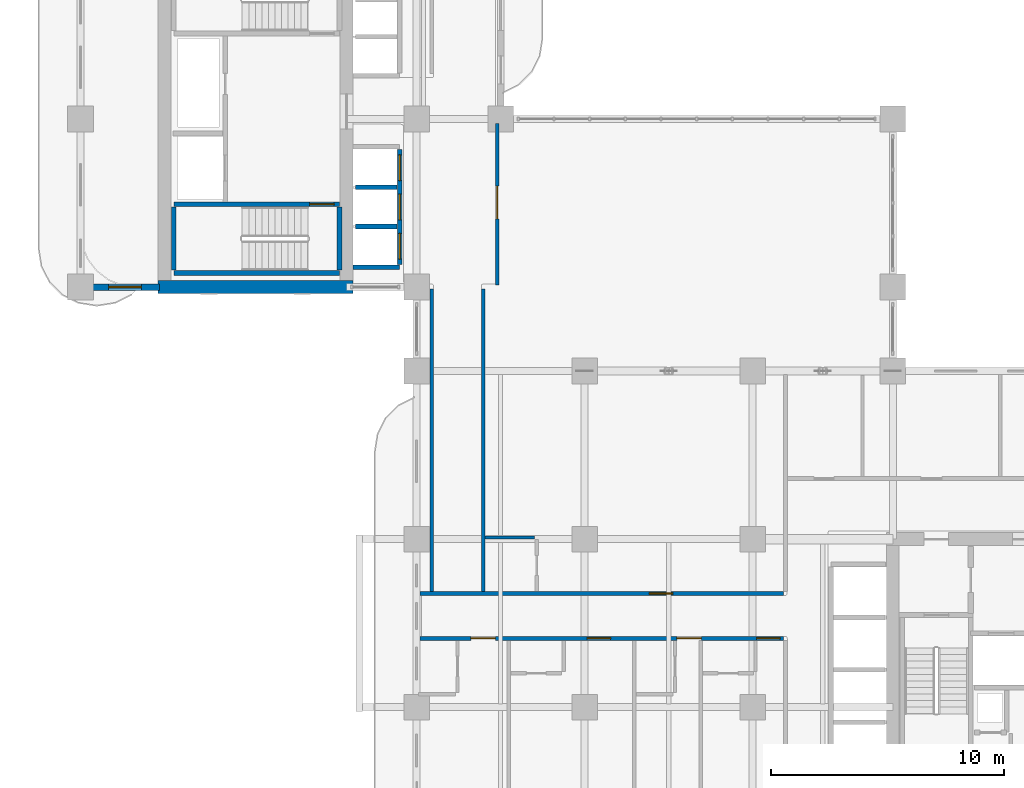
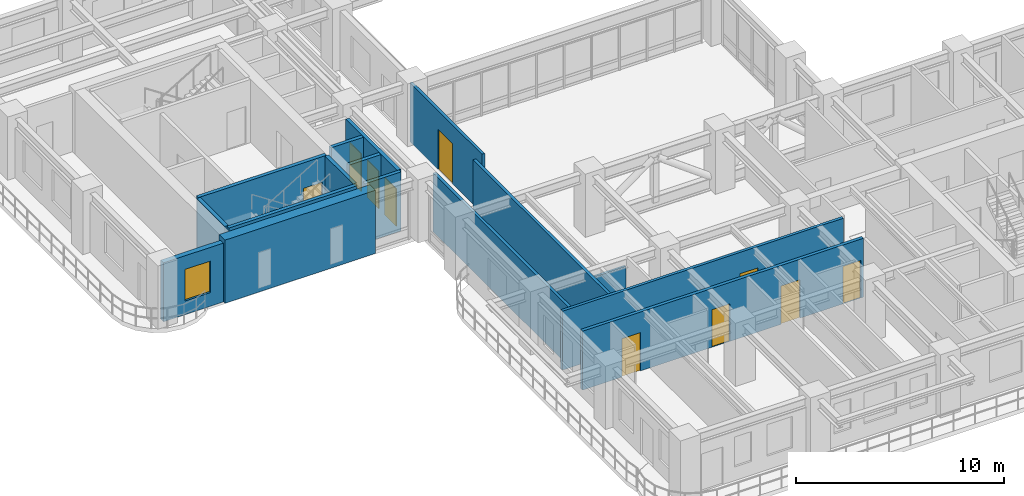
# One storey, part 11 of 21: 16 walls, 10 doors, 1 window, 11 openings.
"""IFC4 building model written with IfcOpenShell, lengths in metres."""

from ifc_helpers import new_model, si_unit, derived_unit, direction, frame, frame_2d, origin, place, context, subcontext, project, spatial, rectangle, extrude, source, transform, mapped, material, layer, layer_set, type_object, type_shapes, element, fill, save


model = new_model("IFC4")

# Units and contexts
model_context = context("Model", 3, precision=1e-05, world=origin(), true_north=direction((0.0, 1.0)))
body_context = subcontext(model_context, "Body", "Model", "MODEL_VIEW")
ifc_project = project(units=[si_unit("LENGTHUNIT", "METRE"), si_unit("AREAUNIT", "SQUARE_METRE"), si_unit("VOLUMEUNIT", "CUBIC_METRE"), si_unit("PLANEANGLEUNIT", "RADIAN"), si_unit("MASSUNIT", "GRAM", prefix="KILO"), si_unit("THERMODYNAMICTEMPERATUREUNIT", "KELVIN"), si_unit("POWERUNIT", "WATT"), derived_unit("THERMALTRANSMITTANCEUNIT", [(si_unit("POWERUNIT", "WATT"), 1), (si_unit("AREAUNIT", "SQUARE_METRE"), -1), (si_unit("THERMODYNAMICTEMPERATUREUNIT", "KELVIN"), -1)])], contexts=[model_context])

# Site, building, storey
site_placement = place(None, origin())
site = spatial("IfcSite", under=ifc_project, at=site_placement, CompositionType="ELEMENT")
building_placement = place(site_placement, origin())
building = spatial("IfcBuilding", under=site, at=building_placement, Name="Zahravan Archway Hotel and Residences", CompositionType="ELEMENT")
storey_placement = place(building_placement, frame((0.0, 0.0, 65.699951171875)))
storey = spatial("IfcBuildingStorey", under=building, at=storey_placement, Name="L15", CompositionType="ELEMENT", Elevation=65.699951171875)

# Wall
ifc_material_1 = material(Name="Concrete C70/85", Category="concrete")
ifc_layer_1 = layer(ifc_material_1, 0.550048828125, Name="Concrete C70/85", Category="concrete")
ifc_layer_set_1 = layer_set([ifc_layer_1], Name="Concrete C70/85")
wall_type_1 = type_object("IfcWallType", Name="CW-CORE-550", PredefinedType="SHEAR", material=ifc_layer_set_1)
wall_1_placement = place(storey_placement, frame((3.324951171875, 25.199951171875, 0.0), z_axis=(0.0, 0.0, 1.0), x_axis=(1.0, 0.0, 0.0)))
element("IfcWall", 1, at=wall_1_placement, inside=storey, type_object=wall_type_1, Name="L15 Core B Shear S Wall 550 mm", PredefinedType="SHEAR", context=body_context, shape_type="SweptSolid", body=[
    extrude(rectangle(XDim=8.35009765625, YDim=0.550048828125, at=frame_2d((4.175048828125, 0.0))), origin(), (0.0, 0.0, 1.0), 3.699951171875),
])

# Wall, opening, window
ifc_material_2 = material(Name="Honed Red-Ochre Sandstone & Insulated Block", Category="masonry")
ifc_layer_2 = layer(ifc_material_2, 0.280029296875, Name="Honed Red-Ochre Sandstone & Insulated Block", Category="masonry")
ifc_layer_set_2 = layer_set([ifc_layer_2], Name="Honed Red-Ochre Sandstone & Insulated Block")
wall_type_2 = type_object("IfcWallType", Name="EW-LOG-280", PredefinedType="SOLIDWALL", material=ifc_layer_set_2)
wall_2_placement = place(storey_placement, frame((0.0, 25.199951171875, 0.0), z_axis=(0.0, 0.0, 1.0), x_axis=(1.0, 0.0, 0.0)))
wall_2 = element("IfcWall", 2, at=wall_2_placement, inside=storey, type_object=wall_type_2, Name="L15 Exterior Sandstone Wall WB-SW", PredefinedType="SOLIDWALL", context=body_context, shape_type="SweptSolid", body=[
    extrude(rectangle(XDim=3.3798828125, YDim=0.280029296875, at=frame_2d((1.68994140625, 0.0))), origin(), (0.0, 0.0, 1.0), 3.449951171875),
])
opening_1_placement = place(wall_2_placement, frame((1.205078125, 0.0, 0.800048828125)))
opening_1 = element("IfcOpeningElement", 3, at=opening_1_placement, cuts=wall_2, Name="Opening W-03", PredefinedType="OPENING", context=body_context, shape_type="SweptSolid", body=[
    extrude(rectangle(XDim=1.39990234375, YDim=1.85009765625, at=frame_2d((0.699951171875, 0.925048828125))), frame((0.0, 0.14990234375, 0.0), z_axis=(0.0, -1.0, 0.0), x_axis=(1.0, 0.0, 0.0)), (0.0, 0.0, 1.0), 0.300048828125),
])
ifc_material_3 = material(Name="Bronze-Anodized Thermal-Break Aluminium & Low-E Glass", Category="aluminium")
window_type = type_object("IfcWindowType", Name="WIN-TWR-1400", PartitioningType="SINGLE_PANEL", PredefinedType="WINDOW", material=ifc_material_3)
shared_shape_1 = source(origin(), body_context, "Body", "SweptSolid", [
    extrude(rectangle(XDim=1.39990234375, YDim=1.85009765625, at=frame_2d((0.699951171875, 0.925048828125))), frame((0.0, 0.030029296875, 0.0), z_axis=(0.0, -1.0, 0.0), x_axis=(1.0, 0.0, 0.0)), (0.0, 0.0, 1.0), 0.06005859375),
])
type_shapes(window_type, [shared_shape_1])
window_placement = place(opening_1_placement, origin())
window = element("IfcWindow", 4, at=window_placement, inside=storey, type_object=window_type, Name="L15 Loggia Window 31", OverallHeight=1.85009765625, OverallWidth=1.39990234375, PartitioningType="SINGLE_PANEL", PredefinedType="WINDOW", context=body_context, shape_type="MappedRepresentation", body=[
    mapped(shared_shape_1, transform((0.0, 0.0, 0.0), scale=1.0)),
])
fill(opening_1, window)

# Wall, opening, door
ifc_material_4 = material(Name="Fire-Rated Gypsum & Concrete Block", Category="concrete")
ifc_layer_3 = layer(ifc_material_4, 0.159912109375, Name="Fire-Rated Gypsum & Concrete Block", Category="concrete")
ifc_layer_set_3 = layer_set([ifc_layer_3], Name="Fire-Rated Gypsum & Concrete Block")
wall_type_3 = type_object("IfcWallType", Name="PW-CORR-160", PredefinedType="PARTITIONING", material=ifc_layer_set_3)
wall_3_placement = place(storey_placement, frame((14.548095703125, 12.070068359375, 0.0), z_axis=(0.0, 0.0, 1.0), x_axis=(1.0, 0.0, 0.0)))
wall_3 = element("IfcWall", 5, at=wall_3_placement, inside=storey, type_object=wall_type_3, Name="L15 Partition WA-CN", PredefinedType="PARTITIONING", context=body_context, shape_type="SweptSolid", body=[
    extrude(rectangle(XDim=15.56201171875, YDim=0.159912109375, at=frame_2d((7.781005859375, 0.0))), origin(), (0.0, 0.0, 1.0), 3.449951171875),
])
opening_2_placement = place(wall_3_placement, frame((9.826904296875, 0.0, 0.0)))
opening_2 = element("IfcOpeningElement", 6, at=opening_2_placement, cuts=wall_3, Name="Opening D-U2", PredefinedType="OPENING", context=body_context, shape_type="SweptSolid", body=[
    extrude(rectangle(XDim=1.0, YDim=2.199951171875, at=frame_2d((0.5, 1.10009765625))), frame((0.0, 0.08984375, 0.0), z_axis=(0.0, -1.0, 0.0), x_axis=(1.0, 0.0, 0.0)), (0.0, 0.0, 1.0), 0.179931640625),
])
ifc_material_5 = material(Name="Hardwood Veneer Timber", Category="wood")
door_type_1 = type_object("IfcDoorType", Name="ID-UNIT-1000", OperationType="NOTDEFINED", PredefinedType="DOOR", material=ifc_material_5)
shared_shape_2 = source(origin(), body_context, "Body", "SweptSolid", [
    extrude(rectangle(XDim=1.0, YDim=2.199951171875, at=frame_2d((0.5, 1.10009765625))), frame((0.0, 0.02490234375, 0.0), z_axis=(0.0, -1.0, 0.0), x_axis=(1.0, 0.0, 0.0)), (0.0, 0.0, 1.0), 0.050048828125),
])
type_shapes(door_type_1, [shared_shape_2])
door_1_placement = place(opening_2_placement, origin())
door_1 = element("IfcDoor", 7, at=door_1_placement, inside=storey, type_object=door_type_1, Name="L15 Hotel Guestroom 55 Entrance Door", OperationType="SINGLE_SWING_RIGHT", OverallHeight=2.199951171875, OverallWidth=1.0, PredefinedType="DOOR", context=body_context, shape_type="MappedRepresentation", body=[
    mapped(shared_shape_2, transform((0.0, 0.0, 0.0), scale=1.0)),
])
fill(opening_2, door_1)

# Walls
for number, where, z_axis, x_axis, name in (
    (8, (15.050048828125, 12.159912109375, 0.0), (0.0, 0.0, 1.0), (0.0, 1.0, 0.0), "L15 Partition LNK-W"),
    (9, (17.25, 12.159912109375, 0.0), (0.0, 0.0, 1.0), (0.0, 1.0, 0.0), "L15 Partition LNK-E"),
):
    element("IfcWall", number, at=place(storey_placement, frame(where, z_axis=z_axis, x_axis=x_axis)), inside=storey, type_object=wall_type_3, Name=name, PredefinedType="PARTITIONING", context=body_context, shape_type="SweptSolid", body=[
        extrude(rectangle(XDim=12.9501953125, YDim=0.159912109375, at=frame_2d((6.47509765625, 0.0))), origin(), (0.0, 0.0, 1.0), 3.449951171875),
    ])

# Wall, opening, door
wall_4_placement = place(storey_placement, frame((17.85009765625, 25.2900390625, 0.0), z_axis=(0.0, 0.0, 1.0), x_axis=(0.0, 1.0, 0.0)))
wall_4 = element("IfcWall", 10, at=wall_4_placement, inside=storey, type_object=wall_type_3, Name="L15 Partition SBG-W", PredefinedType="PARTITIONING", context=body_context, shape_type="SweptSolid", body=[
    extrude(rectangle(XDim=6.919921875, YDim=0.159912109375, at=frame_2d((3.4599609375, 0.0))), origin(), (0.0, 0.0, 1.0), 3.449951171875),
])
opening_3_placement = place(wall_4_placement, frame((2.8349609375, 0.0, 0.0)))
opening_3 = element("IfcOpeningElement", 11, at=opening_3_placement, cuts=wall_4, Name="Opening D-P1", PredefinedType="OPENING", context=body_context, shape_type="SweptSolid", body=[
    extrude(rectangle(XDim=1.39990234375, YDim=2.35009765625, at=frame_2d((0.699951171875, 1.175048828125))), frame((0.0, 0.08984375, 0.0), z_axis=(0.0, -1.0, 0.0), x_axis=(1.0, 0.0, 0.0)), (0.0, 0.0, 1.0), 0.179931640625),
])
ifc_material_6 = material(Name="Bronze-Anodized Glazed Aluminium", Category="aluminium")
door_type_2 = type_object("IfcDoorType", Name="ID-PUBLIC-1400", OperationType="DOUBLE_DOOR_SINGLE_SWING", PredefinedType="DOOR", material=ifc_material_6)
shared_shape_3 = source(origin(), body_context, "Body", "SweptSolid", [
    extrude(rectangle(XDim=1.39990234375, YDim=2.35009765625, at=frame_2d((0.699951171875, 1.175048828125))), frame((0.0, 0.02490234375, 0.0), z_axis=(0.0, -1.0, 0.0), x_axis=(1.0, 0.0, 0.0)), (0.0, 0.0, 1.0), 0.050048828125),
])
type_shapes(door_type_2, [shared_shape_3])
door_2_placement = place(opening_3_placement, origin())
door_2 = element("IfcDoor", 12, at=door_2_placement, inside=storey, type_object=door_type_2, Name="L15 Sky-Bridge Salon Door", OperationType="DOUBLE_DOOR_SINGLE_SWING", OverallHeight=2.35009765625, OverallWidth=1.39990234375, PredefinedType="DOOR", context=body_context, shape_type="MappedRepresentation", body=[
    mapped(shared_shape_3, transform((0.0, 0.0, 0.0), scale=1.0)),
])
fill(opening_3, door_2)

# Wall, openings, doors
ifc_layer_4 = layer(ifc_material_4, 0.179931640625, Name="Fire-Rated Gypsum & Concrete Block", Category="concrete")
ifc_layer_set_4 = layer_set([ifc_layer_4], Name="Fire-Rated Gypsum & Concrete Block")
wall_type_4 = type_object("IfcWallType", Name="PW-CORR-180", PredefinedType="PARTITIONING", material=ifc_layer_set_4)
wall_5_placement = place(storey_placement, frame((14.548095703125, 10.14990234375, 0.0), z_axis=(0.0, 0.0, 1.0), x_axis=(1.0, 0.0, 0.0)))
wall_5 = element("IfcWall", 13, at=wall_5_placement, inside=storey, type_object=wall_type_4, Name="L15 Partition WA-CS", PredefinedType="PARTITIONING", context=body_context, shape_type="SweptSolid", body=[
    extrude(rectangle(XDim=15.56201171875, YDim=0.179931640625, at=frame_2d((7.781005859375, 0.0))), origin(), (0.0, 0.0, 1.0), 3.449951171875),
])
opening_4_placement = place(wall_5_placement, frame((2.177001953125, 0.0, 0.0)))
opening_4 = element("IfcOpeningElement", 14, at=opening_4_placement, cuts=wall_5, Name="Opening D-U1", PredefinedType="OPENING", context=body_context, shape_type="SweptSolid", body=[
    extrude(rectangle(XDim=1.050048828125, YDim=2.25, at=frame_2d((0.52490234375, 1.125))), frame((0.0, 0.10009765625, 0.0), z_axis=(0.0, -1.0, 0.0), x_axis=(1.0, 0.0, 0.0)), (0.0, 0.0, 1.0), 0.199951171875),
])
opening_5_placement = place(wall_5_placement, frame((7.162109375, 0.0, 0.0)))
opening_5 = element("IfcOpeningElement", 15, at=opening_5_placement, cuts=wall_5, Name="Opening D-U2", PredefinedType="OPENING", context=body_context, shape_type="SweptSolid", body=[
    extrude(rectangle(XDim=1.0, YDim=2.199951171875, at=frame_2d((0.5, 1.10009765625))), frame((0.0, 0.10009765625, 0.0), z_axis=(0.0, -1.0, 0.0), x_axis=(1.0, 0.0, 0.0)), (0.0, 0.0, 1.0), 0.199951171875),
])
opening_6_placement = place(wall_5_placement, frame((11.007080078125, 0.0, 0.0)))
opening_6 = element("IfcOpeningElement", 16, at=opening_6_placement, cuts=wall_5, Name="Opening D-U1", PredefinedType="OPENING", context=body_context, shape_type="SweptSolid", body=[
    extrude(rectangle(XDim=1.050048828125, YDim=2.25, at=frame_2d((0.52490234375, 1.125))), frame((0.0, 0.10009765625, 0.0), z_axis=(0.0, -1.0, 0.0), x_axis=(1.0, 0.0, 0.0)), (0.0, 0.0, 1.0), 0.199951171875),
])
opening_7_placement = place(wall_5_placement, frame((14.422119140625, 0.0, 0.0)))
opening_7 = element("IfcOpeningElement", 17, at=opening_7_placement, cuts=wall_5, Name="Opening D-U2", PredefinedType="OPENING", context=body_context, shape_type="SweptSolid", body=[
    extrude(rectangle(XDim=1.0, YDim=2.199951171875, at=frame_2d((0.5, 1.10009765625))), frame((0.0, 0.10009765625, 0.0), z_axis=(0.0, -1.0, 0.0), x_axis=(1.0, 0.0, 0.0)), (0.0, 0.0, 1.0), 0.199951171875),
])
door_type_3 = type_object("IfcDoorType", Name="ID-UNIT-1050", OperationType="NOTDEFINED", PredefinedType="DOOR", material=ifc_material_5)
shared_shape_4 = source(origin(), body_context, "Body", "SweptSolid", [
    extrude(rectangle(XDim=1.050048828125, YDim=2.25, at=frame_2d((0.52490234375, 1.125))), frame((0.0, 0.02490234375, 0.0), z_axis=(0.0, -1.0, 0.0), x_axis=(1.0, 0.0, 0.0)), (0.0, 0.0, 1.0), 0.050048828125),
])
type_shapes(door_type_3, [shared_shape_4])
door_3_placement = place(opening_4_placement, origin())
door_3 = element("IfcDoor", 18, at=door_3_placement, inside=storey, type_object=door_type_3, Name="L15 Hotel Guestroom 40 Entrance Door", OperationType="SINGLE_SWING_LEFT", OverallHeight=2.25, OverallWidth=1.050048828125, PredefinedType="DOOR", context=body_context, shape_type="MappedRepresentation", body=[
    mapped(shared_shape_4, transform((0.0, 0.0, 0.0), scale=1.0)),
])
fill(opening_4, door_3)
door_4_placement = place(opening_6_placement, origin())
door_4 = element("IfcDoor", 19, at=door_4_placement, inside=storey, type_object=door_type_3, Name="L15 Hotel Guestroom 42 Entrance Door", OperationType="SINGLE_SWING_LEFT", OverallHeight=2.25, OverallWidth=1.050048828125, PredefinedType="DOOR", context=body_context, shape_type="MappedRepresentation", body=[
    mapped(shared_shape_4, transform((0.0, 0.0, 0.0), scale=1.0)),
])
fill(opening_6, door_4)
door_5_placement = place(opening_5_placement, origin())
door_5 = element("IfcDoor", 20, at=door_5_placement, inside=storey, type_object=door_type_1, Name="L15 Hotel Guestroom 41 Entrance Door", OperationType="SINGLE_SWING_LEFT", OverallHeight=2.199951171875, OverallWidth=1.0, PredefinedType="DOOR", context=body_context, shape_type="MappedRepresentation", body=[
    mapped(shared_shape_2, transform((0.0, 0.0, 0.0), scale=1.0)),
])
fill(opening_5, door_5)
door_6_placement = place(opening_7_placement, origin())
door_6 = element("IfcDoor", 21, at=door_6_placement, inside=storey, type_object=door_type_1, Name="L15 Hotel Guestroom 43 Entrance Door", OperationType="SINGLE_SWING_LEFT", OverallHeight=2.199951171875, OverallWidth=1.0, PredefinedType="DOOR", context=body_context, shape_type="MappedRepresentation", body=[
    mapped(shared_shape_2, transform((0.0, 0.0, 0.0), scale=1.0)),
])
fill(opening_7, door_6)

# Wall
ifc_layer_5 = layer(ifc_material_4, 0.199951171875, Name="Fire-Rated Gypsum & Concrete Block", Category="concrete")
ifc_layer_set_5 = layer_set([ifc_layer_5], Name="Fire-Rated Gypsum & Concrete Block")
wall_type_5 = type_object("IfcWallType", Name="PW-SHAFT-200", PredefinedType="PARTITIONING", material=ifc_layer_set_5)
wall_6_placement = place(storey_placement, frame((11.68505859375, 26.050048828125, 0.0), z_axis=(0.0, 0.0, 1.0), x_axis=(1.0, 0.0, 0.0)))
element("IfcWall", 22, at=wall_6_placement, inside=storey, type_object=wall_type_5, Name="L15 Partition B1-S", PredefinedType="PARTITIONING", context=body_context, shape_type="SweptSolid", body=[
    extrude(rectangle(XDim=1.98486328125, YDim=0.199951171875, at=frame_2d((0.992431640625, 0.0))), origin(), (0.0, 0.0, 1.0), 3.449951171875),
])

# Wall, openings, doors
wall_7_placement = place(storey_placement, frame((13.679931640625, 26.159912109375, 0.0), z_axis=(0.0, 0.0, 1.0), x_axis=(0.0, 1.0, 0.0)))
wall_7 = element("IfcWall", 23, at=wall_7_placement, inside=storey, type_object=wall_type_5, Name="L15 Partition B1-E", PredefinedType="PARTITIONING", context=body_context, shape_type="SweptSolid", body=[
    extrude(rectangle(XDim=4.940185546875, YDim=0.199951171875, at=frame_2d((2.47021484375, 0.0))), origin(), (0.0, 0.0, 1.0), 3.449951171875),
])
opening_8_placement = place(wall_7_placement, frame((0.239990234375, 0.0, 0.0)))
opening_8 = element("IfcOpeningElement", 24, at=opening_8_placement, cuts=wall_7, Name="Opening LD", PredefinedType="OPENING", context=body_context, shape_type="SweptSolid", body=[
    extrude(rectangle(XDim=1.10009765625, YDim=2.199951171875, at=frame_2d((0.550048828125, 1.10009765625))), frame((0.0, 0.10986328125, 0.0), z_axis=(0.0, -1.0, 0.0), x_axis=(1.0, 0.0, 0.0)), (0.0, 0.0, 1.0), 0.219970703125),
])
opening_9_placement = place(wall_7_placement, frame((1.919921875, 0.0, 0.0)))
opening_9 = element("IfcOpeningElement", 25, at=opening_9_placement, cuts=wall_7, Name="Opening LD", PredefinedType="OPENING", context=body_context, shape_type="SweptSolid", body=[
    extrude(rectangle(XDim=1.10009765625, YDim=2.199951171875, at=frame_2d((0.550048828125, 1.10009765625))), frame((0.0, 0.10986328125, 0.0), z_axis=(0.0, -1.0, 0.0), x_axis=(1.0, 0.0, 0.0)), (0.0, 0.0, 1.0), 0.219970703125),
])
opening_10_placement = place(wall_7_placement, frame((3.60009765625, 0.0, 0.0)))
opening_10 = element("IfcOpeningElement", 26, at=opening_10_placement, cuts=wall_7, Name="Opening LD", PredefinedType="OPENING", context=body_context, shape_type="SweptSolid", body=[
    extrude(rectangle(XDim=1.10009765625, YDim=2.199951171875, at=frame_2d((0.550048828125, 1.10009765625))), frame((0.0, 0.10986328125, 0.0), z_axis=(0.0, -1.0, 0.0), x_axis=(1.0, 0.0, 0.0)), (0.0, 0.0, 1.0), 0.219970703125),
])
ifc_material_7 = material(Name="Brushed Stainless Steel", Category="steel")
door_type_4 = type_object("IfcDoorType", Name="DR-LIFT-LD", OperationType="SLIDING_TO_LEFT", PredefinedType="DOOR", material=ifc_material_7)
shared_shape_5 = source(origin(), body_context, "Body", "SweptSolid", [
    extrude(rectangle(XDim=1.10009765625, YDim=2.199951171875, at=frame_2d((0.550048828125, 1.10009765625))), frame((0.0, 0.02490234375, 0.0), z_axis=(0.0, -1.0, 0.0), x_axis=(1.0, 0.0, 0.0)), (0.0, 0.0, 1.0), 0.050048828125),
])
type_shapes(door_type_4, [shared_shape_5])
door_7_placement = place(opening_8_placement, origin())
door_7 = element("IfcDoor", 27, at=door_7_placement, inside=storey, type_object=door_type_4, Name="L15 Lift LP-1 Sliding Landing Door", OperationType="SLIDING_TO_LEFT", OverallHeight=2.199951171875, OverallWidth=1.10009765625, PredefinedType="DOOR", context=body_context, shape_type="MappedRepresentation", body=[
    mapped(shared_shape_5, transform((0.0, 0.0, 0.0), scale=1.0)),
])
fill(opening_8, door_7)
door_8_placement = place(opening_9_placement, origin())
door_8 = element("IfcDoor", 28, at=door_8_placement, inside=storey, type_object=door_type_4, Name="L15 Lift LP-2 Sliding Landing Door", OperationType="SLIDING_TO_LEFT", OverallHeight=2.199951171875, OverallWidth=1.10009765625, PredefinedType="DOOR", context=body_context, shape_type="MappedRepresentation", body=[
    mapped(shared_shape_5, transform((0.0, 0.0, 0.0), scale=1.0)),
])
fill(opening_9, door_8)
door_9_placement = place(opening_10_placement, origin())
door_9 = element("IfcDoor", 29, at=door_9_placement, inside=storey, type_object=door_type_4, Name="L15 Lift LP-3 Sliding Landing Door", OperationType="SLIDING_TO_LEFT", OverallHeight=2.199951171875, OverallWidth=1.10009765625, PredefinedType="DOOR", context=body_context, shape_type="MappedRepresentation", body=[
    mapped(shared_shape_5, transform((0.0, 0.0, 0.0), scale=1.0)),
])
fill(opening_10, door_9)

# Walls
for number, where, z_axis, x_axis, name in (
    (30, (11.784912109375, 27.7900390625, 0.0), (0.0, 0.0, 1.0), (1.0, 0.0, 0.0), "L15 Partition B1-D"),
    (31, (11.784912109375, 29.469970703125, 0.0), (0.0, 0.0, 1.0), (1.0, 0.0, 0.0), "L15 Partition B1-D"),
):
    element("IfcWall", number, at=place(storey_placement, frame(where, z_axis=z_axis, x_axis=x_axis)), inside=storey, type_object=wall_type_5, Name=name, PredefinedType="PARTITIONING", context=body_context, shape_type="SweptSolid", body=[
        extrude(rectangle(XDim=1.78515625, YDim=0.199951171875, at=frame_2d((0.892578125, 0.0))), origin(), (0.0, 0.0, 1.0), 3.449951171875),
    ])
ifc_material_8 = material(Name="Moisture-Resistant Blockwork", Category="masonry")
ifc_layer_6 = layer(ifc_material_8, 0.139892578125, Name="Moisture-Resistant Blockwork", Category="masonry")
ifc_layer_set_6 = layer_set([ifc_layer_6], Name="Moisture-Resistant Blockwork")
wall_type_6 = type_object("IfcWallType", Name="PW-WET-140", PredefinedType="PARTITIONING", material=ifc_layer_set_6)
wall_8_placement = place(storey_placement, frame((17.340087890625, 14.469970703125, 0.0), z_axis=(0.0, 0.0, 1.0), x_axis=(1.0, 0.0, 0.0)))
element("IfcWall", 32, at=wall_8_placement, inside=storey, type_object=wall_type_6, Name="L15 Partition HKB-H55", PredefinedType="PARTITIONING", context=body_context, shape_type="SweptSolid", body=[
    extrude(rectangle(XDim=2.119873046875, YDim=0.139892578125, at=frame_2d((1.06005859375, 0.0))), origin(), (0.0, 0.0, 1.0), 2.885009765625),
])
ifc_material_9 = material(Name="Concrete C50/60", Category="concrete")
ifc_layer_7 = layer(ifc_material_9, 0.199951171875, Name="Concrete C50/60", Category="concrete")
ifc_layer_set_7 = layer_set([ifc_layer_7], Name="Concrete C50/60")
wall_type_7 = type_object("IfcWallType", Name="SW-STAIR-200", PredefinedType="SHEAR", material=ifc_layer_set_7)
wall_9_placement = place(storey_placement, frame((4.0, 25.800048828125, 0.0), z_axis=(0.0, 0.0, 1.0), x_axis=(1.0, 0.0, 0.0)))
element("IfcWall", 33, at=wall_9_placement, inside=storey, type_object=wall_type_7, Name="L15 Stairwell RC Wall CB-SB1S", PredefinedType="SHEAR", context=body_context, shape_type="SweptSolid", body=[
    extrude(rectangle(XDim=7.10009765625, YDim=0.199951171875, at=frame_2d((3.550048828125, 0.0))), origin(), (0.0, 0.0, 1.0), 3.699951171875),
])
for number, where, z_axis, x_axis, name in (
    (34, (4.0, 25.919921875, 0.0), (0.0, 0.0, 1.0), (0.0, 1.0, 0.0), "L15 Stairwell RC Wall CB-SB1W"),
    (35, (11.10009765625, 25.919921875, 0.0), (0.0, 0.0, 1.0), (0.0, 1.0, 0.0), "L15 Stairwell RC Wall CB-SB1E"),
):
    element("IfcWall", number, at=place(storey_placement, frame(where, z_axis=z_axis, x_axis=x_axis)), inside=storey, type_object=wall_type_7, Name=name, PredefinedType="SHEAR", context=body_context, shape_type="SweptSolid", body=[
        extrude(rectangle(XDim=2.7001953125, YDim=0.199951171875, at=frame_2d((1.35009765625, 0.0))), origin(), (0.0, 0.0, 1.0), 3.699951171875),
    ])

# Wall, opening, door
wall_10_placement = place(storey_placement, frame((4.0, 28.739990234375, 0.0), z_axis=(0.0, 0.0, 1.0), x_axis=(1.0, 0.0, 0.0)))
wall_10 = element("IfcWall", 36, at=wall_10_placement, inside=storey, type_object=wall_type_7, Name="L15 Stairwell RC Wall CB-SB1N", PredefinedType="SHEAR", context=body_context, shape_type="SweptSolid", body=[
    extrude(rectangle(XDim=7.10009765625, YDim=0.199951171875, at=frame_2d((3.550048828125, 0.0))), origin(), (0.0, 0.0, 1.0), 3.699951171875),
])
opening_11_placement = place(wall_10_placement, frame((5.81494140625, 0.0, 0.0)))
opening_11 = element("IfcOpeningElement", 37, at=opening_11_placement, cuts=wall_10, Name="Opening FD-S1", PredefinedType="OPENING", context=body_context, shape_type="SweptSolid", body=[
    extrude(rectangle(XDim=1.050048828125, YDim=2.199951171875, at=frame_2d((0.52490234375, 1.10009765625))), frame((0.0, 0.10986328125, 0.0), z_axis=(0.0, -1.0, 0.0), x_axis=(1.0, 0.0, 0.0)), (0.0, 0.0, 1.0), 0.219970703125),
])
ifc_material_10 = material(Name="Fire-Rated Painted Steel", Category="steel")
door_type_5 = type_object("IfcDoorType", Name="FD-STAIR-1100", OperationType="NOTDEFINED", PredefinedType="DOOR", material=ifc_material_10)
shared_shape_6 = source(origin(), body_context, "Body", "SweptSolid", [
    extrude(rectangle(XDim=1.050048828125, YDim=2.199951171875, at=frame_2d((0.52490234375, 1.10009765625))), frame((0.0, 0.02490234375, 0.0), z_axis=(0.0, -1.0, 0.0), x_axis=(1.0, 0.0, 0.0)), (0.0, 0.0, 1.0), 0.050048828125),
])
type_shapes(door_type_5, [shared_shape_6])
door_10_placement = place(opening_11_placement, origin())
door_10 = element("IfcDoor", 38, at=door_10_placement, inside=storey, type_object=door_type_5, Name="L15 Stair ST-B1 Door", OperationType="SINGLE_SWING_RIGHT", OverallHeight=2.199951171875, OverallWidth=1.050048828125, PredefinedType="DOOR", context=body_context, shape_type="MappedRepresentation", body=[
    mapped(shared_shape_6, transform((0.0, 0.0, 0.0), scale=1.0)),
])
fill(opening_11, door_10)

save(model, "model.ifc")
